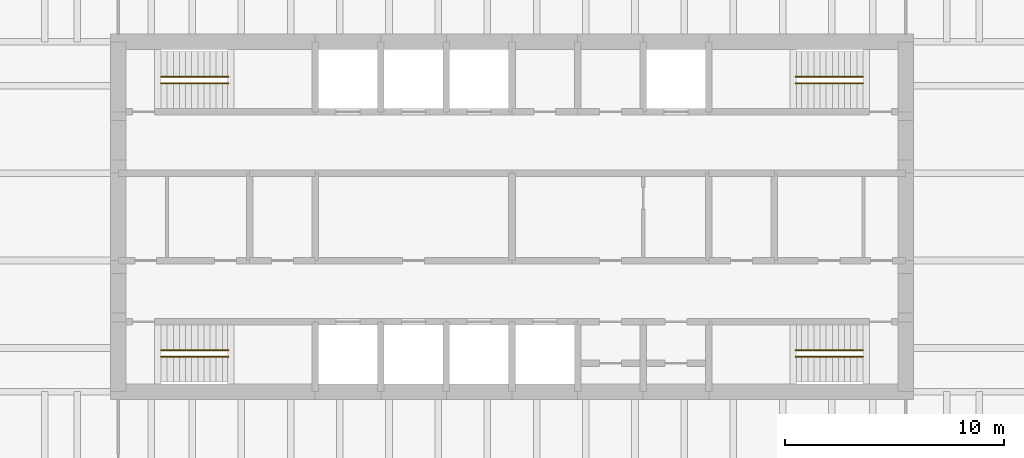
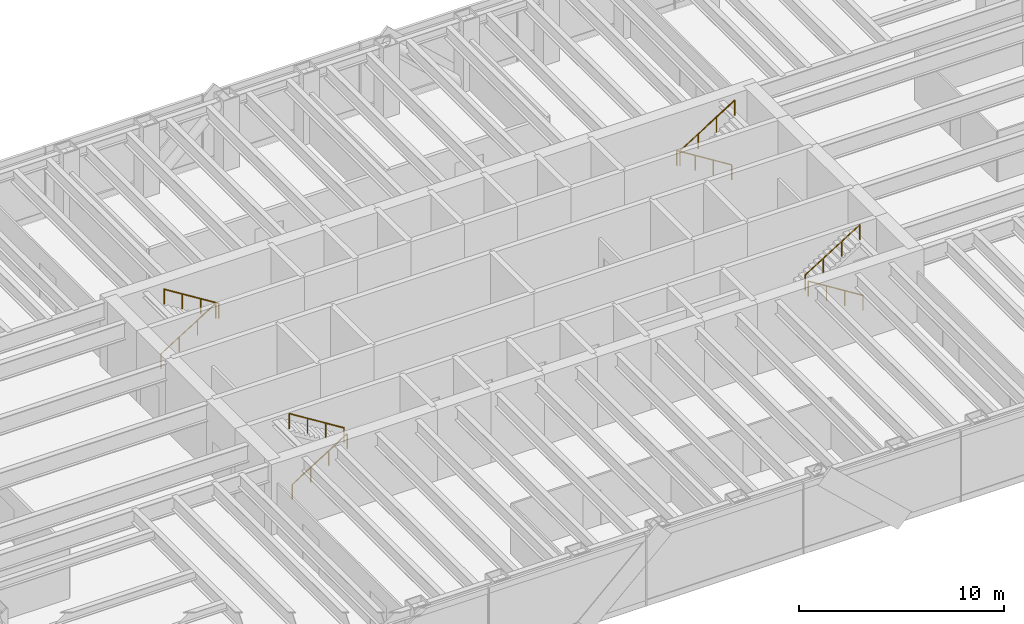
# One storey, part 15 of 15: 8 railings.
"""IFC4 building model written with IfcOpenShell, lengths in metres."""

from ifc_helpers import new_model, si_unit, direction, frame, origin, origin_2d, place, context, subcontext, project, spatial, circle, extrude, material, type_object, element, save


model = new_model("IFC4")

# Units and contexts
model_context = context("Model", 3, precision=1e-05, world=origin(), true_north=direction((0.0, 1.0)))
body_context = subcontext(model_context, "Body", "Model", "MODEL_VIEW")
ifc_project = project(units=[si_unit("LENGTHUNIT", "METRE"), si_unit("AREAUNIT", "SQUARE_METRE"), si_unit("VOLUMEUNIT", "CUBIC_METRE"), si_unit("PLANEANGLEUNIT", "RADIAN"), si_unit("MASSUNIT", "GRAM", prefix="KILO")], contexts=[model_context])

# Site, building, storey
site_placement = place(None, origin())
site = spatial("IfcSite", under=ifc_project, at=site_placement, CompositionType="ELEMENT")
building_placement = place(site_placement, origin())
building = spatial("IfcBuilding", under=site, at=building_placement, Name="Rheinbord Bourse Tower", CompositionType="ELEMENT")
storey_placement = place(building_placement, frame((0.0, 0.0, 325.699951171875)))
storey = spatial("IfcBuildingStorey", under=building, at=storey_placement, Name="L74", CompositionType="ELEMENT", Elevation=325.699951171875)

# Railings
ifc_material = material(Name="Steel handrail", Category="steel")
railing_type = type_object("IfcRailingType", Name="HANDRAIL 900", PredefinedType="HANDRAIL", material=ifc_material)
railing_1_placement = place(storey_placement, frame((19.949951171875, 17.60009765625, 0.175048828125)))
element("IfcRailing", 1, at=railing_1_placement, inside=storey, type_object=railing_type, Name="Handrail", PredefinedType="HANDRAIL", context=body_context, shape_type="SweptSolid", body=[
    extrude(circle(Radius=0.02392578125, at=origin_2d()), frame((0.0, 0.0, 0.8759765625), z_axis=(0.847998304005, 0.0, 0.529998940003), x_axis=(0.0, 1.0, 0.0)), (0.0, 0.0, 1.0), 3.632080078125),
    extrude(circle(Radius=0.02099609375, at=origin_2d()), origin(), (0.0, 0.0, 1.0), 0.851806640625),
    extrude(circle(Radius=0.02099609375, at=origin_2d()), frame((1.026611328125, 0.0, 0.6416015625)), (0.0, 0.0, 1.0), 0.851806640625),
    extrude(circle(Radius=0.02099609375, at=origin_2d()), frame((2.053466796875, 0.0, 1.283447265625)), (0.0, 0.0, 1.0), 0.851806640625),
    extrude(circle(Radius=0.02099609375, at=origin_2d()), frame((3.080078125, 0.0, 1.925048828125)), (0.0, 0.0, 1.0), 0.851806640625),
])
railing_2_placement = place(storey_placement, frame((23.030029296875, 17.89990234375, 2.275146484375)))
element("IfcRailing", 2, at=railing_2_placement, inside=storey, type_object=railing_type, Name="Handrail", PredefinedType="HANDRAIL", context=body_context, shape_type="SweptSolid", body=[
    extrude(circle(Radius=0.02392578125, at=origin_2d()), frame((0.0, 0.0, 0.8759765625), z_axis=(-0.848028513186, 0.0, 0.529950602248), x_axis=(0.0, -1.0, 0.0)), (0.0, 0.0, 1.0), 3.632080078125),
    extrude(circle(Radius=0.02099609375, at=origin_2d()), origin(), (0.0, 0.0, 1.0), 0.851806640625),
    extrude(circle(Radius=0.02099609375, at=origin_2d()), frame((-1.026611328125, 0.0, 0.6416015625)), (0.0, 0.0, 1.0), 0.851806640625),
    extrude(circle(Radius=0.02099609375, at=origin_2d()), frame((-2.053466796875, 0.0, 1.283203125)), (0.0, 0.0, 1.0), 0.851806640625),
    extrude(circle(Radius=0.02099609375, at=origin_2d()), frame((-3.080078125, 0.0, 1.9248046875)), (0.0, 0.0, 1.0), 0.851806640625),
])
railing_3_placement = place(storey_placement, frame((19.949951171875, 30.39990234375, 0.175048828125)))
element("IfcRailing", 3, at=railing_3_placement, inside=storey, type_object=railing_type, Name="Handrail", PredefinedType="HANDRAIL", context=body_context, shape_type="SweptSolid", body=[
    extrude(circle(Radius=0.02392578125, at=origin_2d()), frame((0.0, 0.0, 0.8759765625), z_axis=(0.847998304005, 0.0, 0.529998940003), x_axis=(0.0, 1.0, 0.0)), (0.0, 0.0, 1.0), 3.632080078125),
    extrude(circle(Radius=0.02099609375, at=origin_2d()), origin(), (0.0, 0.0, 1.0), 0.851806640625),
    extrude(circle(Radius=0.02099609375, at=origin_2d()), frame((1.026611328125, 0.0, 0.6416015625)), (0.0, 0.0, 1.0), 0.851806640625),
    extrude(circle(Radius=0.02099609375, at=origin_2d()), frame((2.053466796875, 0.0, 1.283447265625)), (0.0, 0.0, 1.0), 0.851806640625),
    extrude(circle(Radius=0.02099609375, at=origin_2d()), frame((3.080078125, 0.0, 1.925048828125)), (0.0, 0.0, 1.0), 0.851806640625),
])
railing_4_placement = place(storey_placement, frame((23.030029296875, 30.10009765625, 2.275146484375)))
element("IfcRailing", 4, at=railing_4_placement, inside=storey, type_object=railing_type, Name="Handrail", PredefinedType="HANDRAIL", context=body_context, shape_type="SweptSolid", body=[
    extrude(circle(Radius=0.02392578125, at=origin_2d()), frame((0.0, 0.0, 0.8759765625), z_axis=(-0.848028513186, 0.0, 0.529950602248), x_axis=(0.0, -1.0, 0.0)), (0.0, 0.0, 1.0), 3.632080078125),
    extrude(circle(Radius=0.02099609375, at=origin_2d()), origin(), (0.0, 0.0, 1.0), 0.851806640625),
    extrude(circle(Radius=0.02099609375, at=origin_2d()), frame((-1.026611328125, 0.0, 0.6416015625)), (0.0, 0.0, 1.0), 0.851806640625),
    extrude(circle(Radius=0.02099609375, at=origin_2d()), frame((-2.053466796875, 0.0, 1.283203125)), (0.0, 0.0, 1.0), 0.851806640625),
    extrude(circle(Radius=0.02099609375, at=origin_2d()), frame((-3.080078125, 0.0, 1.9248046875)), (0.0, 0.0, 1.0), 0.851806640625),
])
railing_5_placement = place(storey_placement, frame((52.050048828125, 17.60009765625, 0.175048828125)))
element("IfcRailing", 5, at=railing_5_placement, inside=storey, type_object=railing_type, Name="Handrail", PredefinedType="HANDRAIL", context=body_context, shape_type="SweptSolid", body=[
    extrude(circle(Radius=0.02392578125, at=origin_2d()), frame((0.0, 0.0, 0.8759765625), z_axis=(-0.847998304005, 0.0, 0.529998940003), x_axis=(0.0, -1.0, 0.0)), (0.0, 0.0, 1.0), 3.632080078125),
    extrude(circle(Radius=0.02099609375, at=origin_2d()), origin(), (0.0, 0.0, 1.0), 0.851806640625),
    extrude(circle(Radius=0.02099609375, at=origin_2d()), frame((-1.026611328125, 0.0, 0.6416015625)), (0.0, 0.0, 1.0), 0.851806640625),
    extrude(circle(Radius=0.02099609375, at=origin_2d()), frame((-2.053466796875, 0.0, 1.283447265625)), (0.0, 0.0, 1.0), 0.851806640625),
    extrude(circle(Radius=0.02099609375, at=origin_2d()), frame((-3.080078125, 0.0, 1.925048828125)), (0.0, 0.0, 1.0), 0.851806640625),
])
railing_6_placement = place(storey_placement, frame((48.969970703125, 17.89990234375, 2.275146484375)))
element("IfcRailing", 6, at=railing_6_placement, inside=storey, type_object=railing_type, Name="Handrail", PredefinedType="HANDRAIL", context=body_context, shape_type="SweptSolid", body=[
    extrude(circle(Radius=0.02392578125, at=origin_2d()), frame((0.0, 0.0, 0.8759765625), z_axis=(0.848028513186, 0.0, 0.529950602248), x_axis=(0.0, 1.0, 0.0)), (0.0, 0.0, 1.0), 3.632080078125),
    extrude(circle(Radius=0.02099609375, at=origin_2d()), origin(), (0.0, 0.0, 1.0), 0.851806640625),
    extrude(circle(Radius=0.02099609375, at=origin_2d()), frame((1.026611328125, 0.0, 0.6416015625)), (0.0, 0.0, 1.0), 0.851806640625),
    extrude(circle(Radius=0.02099609375, at=origin_2d()), frame((2.053466796875, 0.0, 1.283203125)), (0.0, 0.0, 1.0), 0.851806640625),
    extrude(circle(Radius=0.02099609375, at=origin_2d()), frame((3.080078125, 0.0, 1.9248046875)), (0.0, 0.0, 1.0), 0.851806640625),
])
railing_7_placement = place(storey_placement, frame((52.050048828125, 30.39990234375, 0.175048828125)))
element("IfcRailing", 7, at=railing_7_placement, inside=storey, type_object=railing_type, Name="Handrail", PredefinedType="HANDRAIL", context=body_context, shape_type="SweptSolid", body=[
    extrude(circle(Radius=0.02392578125, at=origin_2d()), frame((0.0, 0.0, 0.8759765625), z_axis=(-0.847998304005, 0.0, 0.529998940003), x_axis=(0.0, -1.0, 0.0)), (0.0, 0.0, 1.0), 3.632080078125),
    extrude(circle(Radius=0.02099609375, at=origin_2d()), origin(), (0.0, 0.0, 1.0), 0.851806640625),
    extrude(circle(Radius=0.02099609375, at=origin_2d()), frame((-1.026611328125, 0.0, 0.6416015625)), (0.0, 0.0, 1.0), 0.851806640625),
    extrude(circle(Radius=0.02099609375, at=origin_2d()), frame((-2.053466796875, 0.0, 1.283447265625)), (0.0, 0.0, 1.0), 0.851806640625),
    extrude(circle(Radius=0.02099609375, at=origin_2d()), frame((-3.080078125, 0.0, 1.925048828125)), (0.0, 0.0, 1.0), 0.851806640625),
])
railing_8_placement = place(storey_placement, frame((48.969970703125, 30.10009765625, 2.275146484375)))
element("IfcRailing", 8, at=railing_8_placement, inside=storey, type_object=railing_type, Name="Handrail", PredefinedType="HANDRAIL", context=body_context, shape_type="SweptSolid", body=[
    extrude(circle(Radius=0.02392578125, at=origin_2d()), frame((0.0, 0.0, 0.8759765625), z_axis=(0.848028513186, 0.0, 0.529950602248), x_axis=(0.0, 1.0, 0.0)), (0.0, 0.0, 1.0), 3.632080078125),
    extrude(circle(Radius=0.02099609375, at=origin_2d()), origin(), (0.0, 0.0, 1.0), 0.851806640625),
    extrude(circle(Radius=0.02099609375, at=origin_2d()), frame((1.026611328125, 0.0, 0.6416015625)), (0.0, 0.0, 1.0), 0.851806640625),
    extrude(circle(Radius=0.02099609375, at=origin_2d()), frame((2.053466796875, 0.0, 1.283203125)), (0.0, 0.0, 1.0), 0.851806640625),
    extrude(circle(Radius=0.02099609375, at=origin_2d()), frame((3.080078125, 0.0, 1.9248046875)), (0.0, 0.0, 1.0), 0.851806640625),
])

save(model, "model.ifc")
